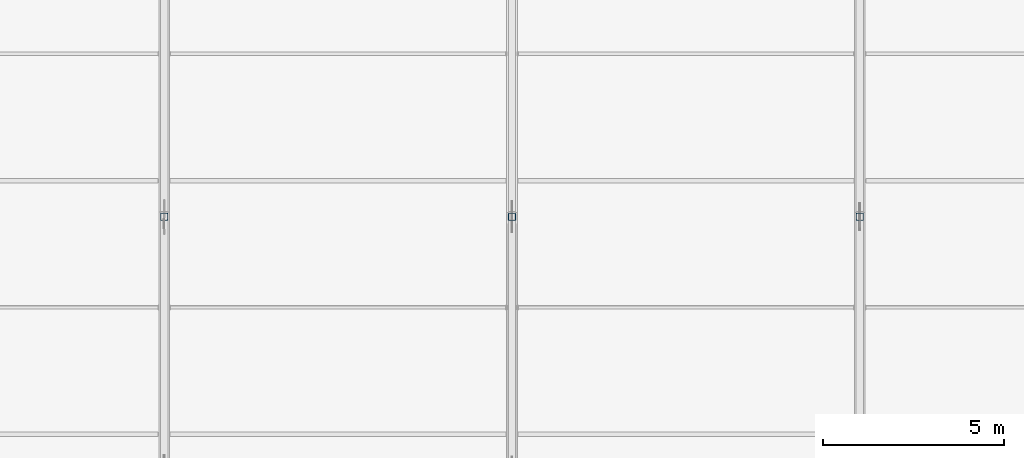
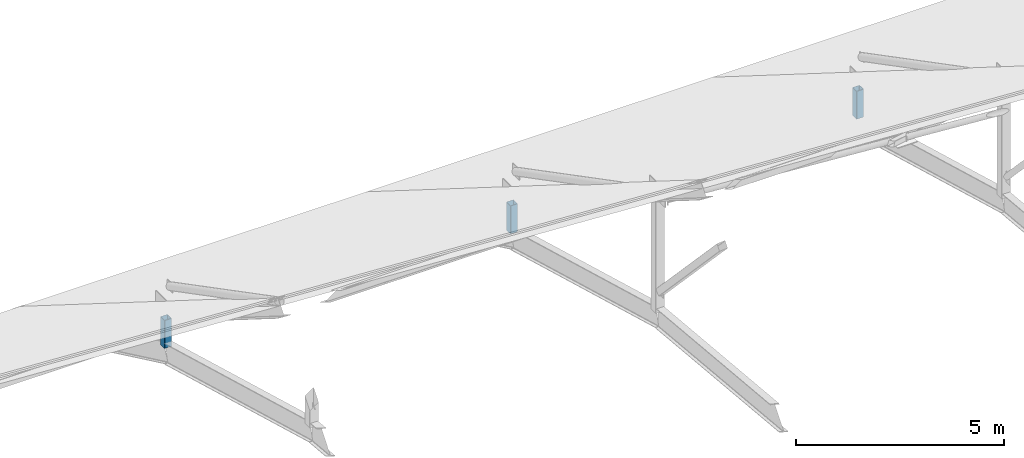
# One storey, part 25 of 66: 3 members.
"""IFC4 building model written with IfcOpenShell, lengths in metres."""

from ifc_helpers import new_model, si_unit, direction, frame, origin, origin_2d, place, context, subcontext, project, spatial, hollow_rectangle, extrude, material, material_profile, profile_set, type_object, element, save


model = new_model("IFC4")

# Units and contexts
model_context = context("Model", 3, precision=1e-05, world=origin(), true_north=direction((0.0, 1.0)))
body_context = subcontext(model_context, "Body", "Model", "MODEL_VIEW")
ifc_project = project(units=[si_unit("LENGTHUNIT", "METRE"), si_unit("AREAUNIT", "SQUARE_METRE"), si_unit("VOLUMEUNIT", "CUBIC_METRE"), si_unit("PLANEANGLEUNIT", "RADIAN"), si_unit("MASSUNIT", "GRAM", prefix="KILO")], contexts=[model_context])

# Site, building, storey
site_placement = place(None, origin())
site = spatial("IfcSite", under=ifc_project, at=site_placement, CompositionType="ELEMENT")
building_placement = place(site_placement, origin())
building = spatial("IfcBuilding", under=site, at=building_placement, Name="Yeouljin Market Hall", CompositionType="ELEMENT")
storey_placement = place(building_placement, frame((0.0, 0.0, 23.39990234375)))
storey = spatial("IfcBuildingStorey", under=building, at=storey_placement, Name="RF", CompositionType="ELEMENT", Elevation=23.39990234375)

# Members
ifc_material = material(Name="Steel SM355", Category="steel")
ifc_material_profile = material_profile(ifc_material, hollow_rectangle(XDim=0.199951171875, YDim=0.199951171875, WallThickness=0.008056640625, InnerFilletRadius=0.008056640625, OuterFilletRadius=0.01611328125, at=origin_2d()), Name="SHS-200x200x8")
ifc_profile_set = profile_set([ifc_material_profile], Name="Steel SM355")
member_type = type_object("IfcMemberType", Name="Strut_SHS-200x200x8", PredefinedType="STRUT", material=ifc_profile_set)
for number, where, z_axis, x_axis, name in (
    (1, (93.0, 71.0, -8.897705078125), (0.0, 0.0, 1.0), (1.0, 0.0, 0.0), "Truss AT-07 vertical strut 5"),
    (2, (102.60009765625, 71.0, -8.897705078125), (0.0, 0.0, 1.0), (1.0, 0.0, 0.0), "Truss AT-08 vertical strut 5"),
    (3, (112.199951171875, 71.0, -8.897705078125), (0.0, 0.0, 1.0), (1.0, 0.0, 0.0), "Truss AT-09 vertical strut 5"),
):
    element("IfcMember", number, at=place(storey_placement, frame(where, z_axis=z_axis, x_axis=x_axis)), inside=storey, type_object=member_type, Name=name, PredefinedType="STRUT", context=body_context, shape_type="SweptSolid", body=[
        extrude(hollow_rectangle(XDim=0.199951171875, YDim=0.199951171875, WallThickness=0.008056640625, InnerFilletRadius=0.008056640625, OuterFilletRadius=0.01611328125, at=origin_2d()), origin(), (0.0, 0.0, 1.0), 0.81787109375),
    ])

save(model, "model.ifc")
